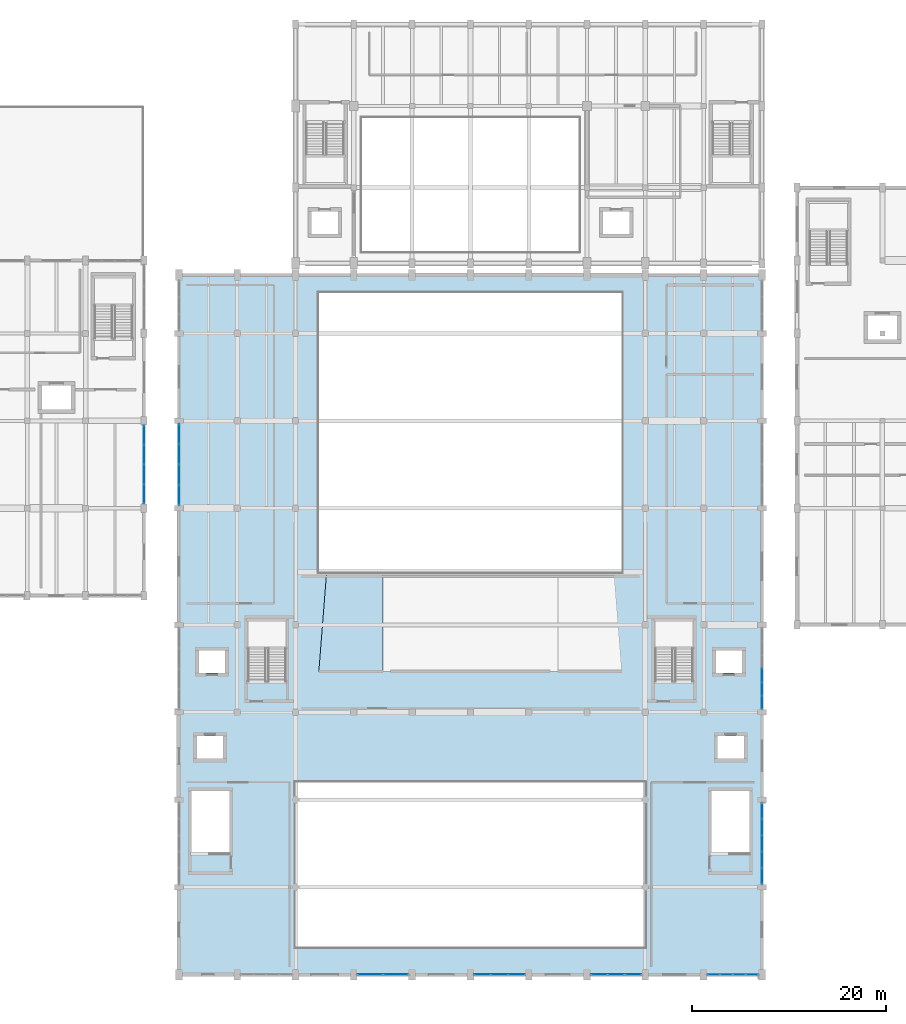
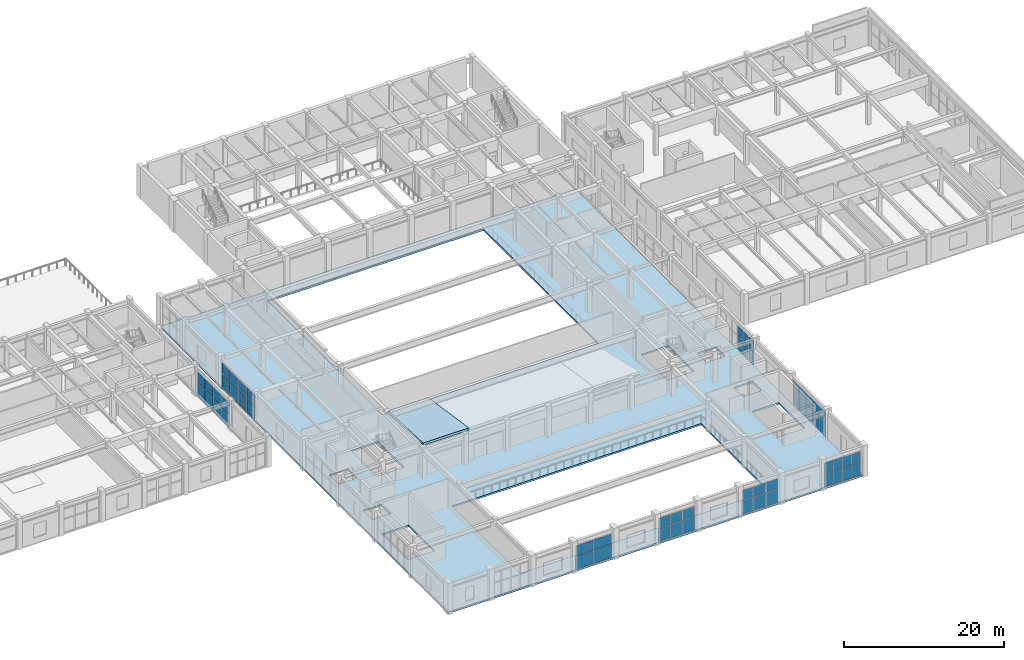
# One storey, part 52 of 80: 56 plates, 2 slabs, 8 elements without a shape of their own.
"""IFC4 building model written with IfcOpenShell, lengths in metres."""

from ifc_helpers import new_model, si_unit, direction, frame, origin, origin_2d, place, context, subcontext, project, spatial, polyline, rectangle, outline, extrude, material, layer, layer_set, type_object, element, aggregate, save


model = new_model("IFC4")

# Units and contexts
model_context = context("Model", 3, precision=1e-05, world=origin(), true_north=direction((0.0, 1.0)))
body_context = subcontext(model_context, "Body", "Model", "MODEL_VIEW")
ifc_project = project(units=[si_unit("LENGTHUNIT", "METRE"), si_unit("AREAUNIT", "SQUARE_METRE"), si_unit("VOLUMEUNIT", "CUBIC_METRE"), si_unit("PLANEANGLEUNIT", "RADIAN"), si_unit("MASSUNIT", "GRAM", prefix="KILO")], contexts=[model_context])

# Site, building, storey
site_placement = place(None, origin())
site = spatial("IfcSite", under=ifc_project, at=site_placement, CompositionType="ELEMENT")
building_placement = place(site_placement, origin())
building = spatial("IfcBuilding", under=site, at=building_placement, Name="Vaelkrest Opera House", CompositionType="ELEMENT")
storey_placement = place(building_placement, frame((0.0, 0.0, 15.0)))
storey = spatial("IfcBuildingStorey", under=building, at=storey_placement, Name="L03", CompositionType="ELEMENT", Elevation=15.0)

# Curtain wall, plates
ifc_material_1 = material(Name="Dark bronze anodized aluminium", Category="aluminium")
ifc_layer_1 = layer(ifc_material_1, 0.179931640625)
ifc_layer_set_1 = layer_set([ifc_layer_1], Name="Dark bronze anodized aluminium")
curtain_wall_type_1 = type_object("IfcCurtainWallType", Name="CW01", PredefinedType="NOTDEFINED", material=ifc_layer_set_1)
curtain_wall_1_placement = place(storey_placement, origin())
curtain_wall_1 = element("IfcCurtainWall", 1, at=curtain_wall_1_placement, inside=storey, type_object=curtain_wall_type_1, Name="Curtain wall CW-L03-053", PredefinedType="NOTDEFINED")
ifc_material_2 = material(Name="Double low-E insulated glazing", Category="glass")
ifc_layer_2 = layer(ifc_material_2, 0.02587890625)
ifc_layer_set_2 = layer_set([ifc_layer_2], Name="Double low-E insulated glazing")
plate_type_1 = type_object("IfcPlateType", Name="CWP01", PredefinedType="CURTAIN_PANEL", material=ifc_layer_set_2)
plate_1_placement = place(storey_placement, frame((30.0, -25.000244140625, 0.06494140625), z_axis=(0.0, 0.0, 1.0), x_axis=(0.0, -1.0, 0.0)))
plate_1 = element("IfcPlate", 2, at=plate_1_placement, type_object=plate_type_1, Name="CW01 panel 4.1", PredefinedType="CURTAIN_PANEL", context=body_context, shape_type="SweptSolid", body=[
    extrude(rectangle(XDim=1.335693359375, YDim=0.02587890625, at=origin_2d()), origin(), (0.0, 0.0, 1.0), 2.052490234375),
])
plate_2_placement = place(storey_placement, frame((30.0, -25.000244140625, 2.182373046875), z_axis=(0.0, 0.0, 1.0), x_axis=(0.0, -1.0, 0.0)))
plate_2 = element("IfcPlate", 3, at=plate_2_placement, type_object=plate_type_1, Name="CW01 panel 4.2", PredefinedType="CURTAIN_PANEL", context=body_context, shape_type="SweptSolid", body=[
    extrude(rectangle(XDim=1.335693359375, YDim=0.02587890625, at=origin_2d()), origin(), (0.0, 0.0, 1.0), 1.58154296875),
])
plate_3_placement = place(storey_placement, frame((30.0, -26.40087890625, 0.06494140625), z_axis=(0.0, 0.0, 1.0), x_axis=(0.0, -1.0, 0.0)))
plate_3 = element("IfcPlate", 4, at=plate_3_placement, type_object=plate_type_1, Name="CW01 panel 5.1", PredefinedType="CURTAIN_PANEL", context=body_context, shape_type="SweptSolid", body=[
    extrude(rectangle(XDim=1.335693359375, YDim=0.02587890625, at=origin_2d()), origin(), (0.0, 0.0, 1.0), 2.052490234375),
])
plate_4_placement = place(storey_placement, frame((30.0, -26.40087890625, 2.182373046875), z_axis=(0.0, 0.0, 1.0), x_axis=(0.0, -1.0, 0.0)))
plate_4 = element("IfcPlate", 5, at=plate_4_placement, type_object=plate_type_1, Name="CW01 panel 5.2", PredefinedType="CURTAIN_PANEL", context=body_context, shape_type="SweptSolid", body=[
    extrude(rectangle(XDim=1.335693359375, YDim=0.02587890625, at=origin_2d()), origin(), (0.0, 0.0, 1.0), 1.58154296875),
])
plate_5_placement = place(storey_placement, frame((30.0, -27.785400390625, 0.06494140625), z_axis=(0.0, 0.0, 1.0), x_axis=(0.0, -1.0, 0.0)))
plate_5 = element("IfcPlate", 6, at=plate_5_placement, type_object=plate_type_1, Name="CW01 panel 6.1", PredefinedType="CURTAIN_PANEL", context=body_context, shape_type="SweptSolid", body=[
    extrude(rectangle(XDim=1.30322265625, YDim=0.02587890625, at=origin_2d()), origin(), (0.0, 0.0, 1.0), 2.052490234375),
])
plate_6_placement = place(storey_placement, frame((30.0, -27.785400390625, 2.182373046875), z_axis=(0.0, 0.0, 1.0), x_axis=(0.0, -1.0, 0.0)))
plate_6 = element("IfcPlate", 7, at=plate_6_placement, type_object=plate_type_1, Name="CW01 panel 6.2", PredefinedType="CURTAIN_PANEL", context=body_context, shape_type="SweptSolid", body=[
    extrude(rectangle(XDim=1.30322265625, YDim=0.02587890625, at=origin_2d()), origin(), (0.0, 0.0, 1.0), 1.58154296875),
])
aggregate(curtain_wall_1, [plate_1, plate_2, plate_3, plate_4, plate_5, plate_6])

ifc_layer_3 = layer(ifc_material_1, 0.18994140625)
ifc_layer_set_3 = layer_set([ifc_layer_3], Name="Dark bronze anodized aluminium")
curtain_wall_type_2 = type_object("IfcCurtainWallType", Name="CW02", PredefinedType="NOTDEFINED", material=ifc_layer_set_3)
curtain_wall_2_placement = place(storey_placement, origin())
curtain_wall_2 = element("IfcCurtainWall", 8, at=curtain_wall_2_placement, inside=storey, type_object=curtain_wall_type_2, Name="Curtain wall CW-L03-042", PredefinedType="NOTDEFINED")
ifc_layer_4 = layer(ifc_material_2, 0.030029296875)
ifc_layer_set_4 = layer_set([ifc_layer_4], Name="Double low-E insulated glazing")
plate_type_2 = type_object("IfcPlateType", Name="CWP02", PredefinedType="CURTAIN_PANEL", material=ifc_layer_set_4)
plate_7_placement = place(storey_placement, frame((28.971435546875, -55.800048828125, 0.070068359375), z_axis=(0.0, 0.0, 1.0), x_axis=(-1.0, 0.0, 0.0)))
plate_7 = element("IfcPlate", 9, at=plate_7_placement, type_object=plate_type_2, Name="CW02 panel 1.1", PredefinedType="CURTAIN_PANEL", context=body_context, shape_type="SweptSolid", body=[
    extrude(rectangle(XDim=1.220947265625, YDim=0.030029296875, at=origin_2d()), origin(), (0.0, 0.0, 1.0), 2.044921875),
])
plate_8_placement = place(storey_placement, frame((28.971435546875, -55.800048828125, 2.18505859375), z_axis=(0.0, 0.0, 1.0), x_axis=(-1.0, 0.0, 0.0)))
plate_8 = element("IfcPlate", 10, at=plate_8_placement, type_object=plate_type_2, Name="CW02 panel 1.2", PredefinedType="CURTAIN_PANEL", context=body_context, shape_type="SweptSolid", body=[
    extrude(rectangle(XDim=1.220947265625, YDim=0.030029296875, at=origin_2d()), origin(), (0.0, 0.0, 1.0), 1.489990234375),
])
plate_9_placement = place(storey_placement, frame((27.6630859375, -55.800048828125, 0.070068359375), z_axis=(0.0, 0.0, 1.0), x_axis=(-1.0, 0.0, 0.0)))
plate_9 = element("IfcPlate", 11, at=plate_9_placement, type_object=plate_type_2, Name="CW02 panel 2.1", PredefinedType="CURTAIN_PANEL", context=body_context, shape_type="SweptSolid", body=[
    extrude(rectangle(XDim=1.256103515625, YDim=0.030029296875, at=origin_2d()), origin(), (0.0, 0.0, 1.0), 2.044921875),
])
plate_10_placement = place(storey_placement, frame((27.6630859375, -55.800048828125, 2.18505859375), z_axis=(0.0, 0.0, 1.0), x_axis=(-1.0, 0.0, 0.0)))
plate_10 = element("IfcPlate", 12, at=plate_10_placement, type_object=plate_type_2, Name="CW02 panel 2.2", PredefinedType="CURTAIN_PANEL", context=body_context, shape_type="SweptSolid", body=[
    extrude(rectangle(XDim=1.256103515625, YDim=0.030029296875, at=origin_2d()), origin(), (0.0, 0.0, 1.0), 1.489990234375),
])
plate_11_placement = place(storey_placement, frame((26.3369140625, -55.800048828125, 0.070068359375), z_axis=(0.0, 0.0, 1.0), x_axis=(-1.0, 0.0, 0.0)))
plate_11 = element("IfcPlate", 13, at=plate_11_placement, type_object=plate_type_2, Name="CW02 panel 3.1", PredefinedType="CURTAIN_PANEL", context=body_context, shape_type="SweptSolid", body=[
    extrude(rectangle(XDim=1.256103515625, YDim=0.030029296875, at=origin_2d()), origin(), (0.0, 0.0, 1.0), 2.044921875),
])
plate_12_placement = place(storey_placement, frame((26.3369140625, -55.800048828125, 2.18505859375), z_axis=(0.0, 0.0, 1.0), x_axis=(-1.0, 0.0, 0.0)))
plate_12 = element("IfcPlate", 14, at=plate_12_placement, type_object=plate_type_2, Name="CW02 panel 3.2", PredefinedType="CURTAIN_PANEL", context=body_context, shape_type="SweptSolid", body=[
    extrude(rectangle(XDim=1.256103515625, YDim=0.030029296875, at=origin_2d()), origin(), (0.0, 0.0, 1.0), 1.489990234375),
])
plate_13_placement = place(storey_placement, frame((25.028564453125, -55.800048828125, 0.070068359375), z_axis=(0.0, 0.0, 1.0), x_axis=(-1.0, 0.0, 0.0)))
plate_13 = element("IfcPlate", 15, at=plate_13_placement, type_object=plate_type_2, Name="CW02 panel 4.1", PredefinedType="CURTAIN_PANEL", context=body_context, shape_type="SweptSolid", body=[
    extrude(rectangle(XDim=1.220947265625, YDim=0.030029296875, at=origin_2d()), origin(), (0.0, 0.0, 1.0), 2.044921875),
])
plate_14_placement = place(storey_placement, frame((25.028564453125, -55.800048828125, 2.18505859375), z_axis=(0.0, 0.0, 1.0), x_axis=(-1.0, 0.0, 0.0)))
plate_14 = element("IfcPlate", 16, at=plate_14_placement, type_object=plate_type_2, Name="CW02 panel 4.2", PredefinedType="CURTAIN_PANEL", context=body_context, shape_type="SweptSolid", body=[
    extrude(rectangle(XDim=1.220947265625, YDim=0.030029296875, at=origin_2d()), origin(), (0.0, 0.0, 1.0), 1.489990234375),
])
aggregate(curtain_wall_2, [plate_7, plate_8, plate_9, plate_10, plate_11, plate_12, plate_13, plate_14])

ifc_layer_5 = layer(ifc_material_1, 0.199951171875)
ifc_layer_set_5 = layer_set([ifc_layer_5], Name="Dark bronze anodized aluminium")
curtain_wall_type_3 = type_object("IfcCurtainWallType", Name="CW03", PredefinedType="NOTDEFINED", material=ifc_layer_set_5)
curtain_wall_3_placement = place(storey_placement, origin())
curtain_wall_3 = element("IfcCurtainWall", 17, at=curtain_wall_3_placement, inside=storey, type_object=curtain_wall_type_3, Name="Curtain wall CW-L03-054", PredefinedType="NOTDEFINED")
ifc_layer_6 = layer(ifc_material_2, 0.033935546875)
ifc_layer_set_6 = layer_set([ifc_layer_6], Name="Double low-E insulated glazing")
plate_type_3 = type_object("IfcPlateType", Name="CWP03", PredefinedType="CURTAIN_PANEL", material=ifc_layer_set_6)
plate_15_placement = place(storey_placement, frame((30.0, -38.95703125, 0.074951171875), z_axis=(0.0, 0.0, 1.0), x_axis=(0.0, -1.0, 0.0)))
plate_15 = element("IfcPlate", 18, at=plate_15_placement, type_object=plate_type_3, Name="CW03 panel 1.1", PredefinedType="CURTAIN_PANEL", context=body_context, shape_type="SweptSolid", body=[
    extrude(rectangle(XDim=1.568359375, YDim=0.033935546875, at=origin_2d()), origin(), (0.0, 0.0, 1.0), 2.03759765625),
])
plate_16_placement = place(storey_placement, frame((30.0, -38.95703125, 2.1875), z_axis=(0.0, 0.0, 1.0), x_axis=(0.0, -1.0, 0.0)))
plate_16 = element("IfcPlate", 19, at=plate_16_placement, type_object=plate_type_3, Name="CW03 panel 1.2", PredefinedType="CURTAIN_PANEL", context=body_context, shape_type="SweptSolid", body=[
    extrude(rectangle(XDim=1.568359375, YDim=0.033935546875, at=origin_2d()), origin(), (0.0, 0.0, 1.0), 1.56640625),
])
plate_17_placement = place(storey_placement, frame((30.0, -40.619140625, 0.074951171875), z_axis=(0.0, 0.0, 1.0), x_axis=(0.0, -1.0, 0.0)))
plate_17 = element("IfcPlate", 20, at=plate_17_placement, type_object=plate_type_3, Name="CW03 panel 2.1", PredefinedType="CURTAIN_PANEL", context=body_context, shape_type="SweptSolid", body=[
    extrude(rectangle(XDim=1.605712890625, YDim=0.033935546875, at=origin_2d()), origin(), (0.0, 0.0, 1.0), 2.03759765625),
])
plate_18_placement = place(storey_placement, frame((30.0, -40.619140625, 2.1875), z_axis=(0.0, 0.0, 1.0), x_axis=(0.0, -1.0, 0.0)))
plate_18 = element("IfcPlate", 21, at=plate_18_placement, type_object=plate_type_3, Name="CW03 panel 2.2", PredefinedType="CURTAIN_PANEL", context=body_context, shape_type="SweptSolid", body=[
    extrude(rectangle(XDim=1.605712890625, YDim=0.033935546875, at=origin_2d()), origin(), (0.0, 0.0, 1.0), 1.56640625),
])
plate_19_placement = place(storey_placement, frame((30.0, -42.300048828125, 0.074951171875), z_axis=(0.0, 0.0, 1.0), x_axis=(0.0, -1.0, 0.0)))
plate_19 = element("IfcPlate", 22, at=plate_19_placement, type_object=plate_type_3, Name="CW03 panel 3.1", PredefinedType="CURTAIN_PANEL", context=body_context, shape_type="SweptSolid", body=[
    extrude(rectangle(XDim=1.605712890625, YDim=0.033935546875, at=origin_2d()), origin(), (0.0, 0.0, 1.0), 2.03759765625),
])
plate_20_placement = place(storey_placement, frame((30.0, -42.300048828125, 2.1875), z_axis=(0.0, 0.0, 1.0), x_axis=(0.0, -1.0, 0.0)))
plate_20 = element("IfcPlate", 23, at=plate_20_placement, type_object=plate_type_3, Name="CW03 panel 3.2", PredefinedType="CURTAIN_PANEL", context=body_context, shape_type="SweptSolid", body=[
    extrude(rectangle(XDim=1.605712890625, YDim=0.033935546875, at=origin_2d()), origin(), (0.0, 0.0, 1.0), 1.56640625),
])
plate_21_placement = place(storey_placement, frame((30.0, -43.980712890625, 0.074951171875), z_axis=(0.0, 0.0, 1.0), x_axis=(0.0, -1.0, 0.0)))
plate_21 = element("IfcPlate", 24, at=plate_21_placement, type_object=plate_type_3, Name="CW03 panel 4.1", PredefinedType="CURTAIN_PANEL", context=body_context, shape_type="SweptSolid", body=[
    extrude(rectangle(XDim=1.605712890625, YDim=0.033935546875, at=origin_2d()), origin(), (0.0, 0.0, 1.0), 2.03759765625),
])
plate_22_placement = place(storey_placement, frame((30.0, -43.980712890625, 2.1875), z_axis=(0.0, 0.0, 1.0), x_axis=(0.0, -1.0, 0.0)))
plate_22 = element("IfcPlate", 25, at=plate_22_placement, type_object=plate_type_3, Name="CW03 panel 4.2", PredefinedType="CURTAIN_PANEL", context=body_context, shape_type="SweptSolid", body=[
    extrude(rectangle(XDim=1.605712890625, YDim=0.033935546875, at=origin_2d()), origin(), (0.0, 0.0, 1.0), 1.56640625),
])
plate_23_placement = place(storey_placement, frame((30.0, -45.642822265625, 0.074951171875), z_axis=(0.0, 0.0, 1.0), x_axis=(0.0, -1.0, 0.0)))
plate_23 = element("IfcPlate", 26, at=plate_23_placement, type_object=plate_type_3, Name="CW03 panel 5.1", PredefinedType="CURTAIN_PANEL", context=body_context, shape_type="SweptSolid", body=[
    extrude(rectangle(XDim=1.568359375, YDim=0.033935546875, at=origin_2d()), origin(), (0.0, 0.0, 1.0), 2.03759765625),
])
plate_24_placement = place(storey_placement, frame((30.0, -45.642822265625, 2.1875), z_axis=(0.0, 0.0, 1.0), x_axis=(0.0, -1.0, 0.0)))
plate_24 = element("IfcPlate", 27, at=plate_24_placement, type_object=plate_type_3, Name="CW03 panel 5.2", PredefinedType="CURTAIN_PANEL", context=body_context, shape_type="SweptSolid", body=[
    extrude(rectangle(XDim=1.568359375, YDim=0.033935546875, at=origin_2d()), origin(), (0.0, 0.0, 1.0), 1.56640625),
])
aggregate(curtain_wall_3, [plate_15, plate_16, plate_17, plate_18, plate_19, plate_20, plate_21, plate_22, plate_23, plate_24])

ifc_layer_7 = layer(ifc_material_1, 0.2099609375)
ifc_layer_set_7 = layer_set([ifc_layer_7], Name="Dark bronze anodized aluminium")
curtain_wall_type_4 = type_object("IfcCurtainWallType", Name="CW04", PredefinedType="NOTDEFINED", material=ifc_layer_set_7)
curtain_wall_4_placement = place(storey_placement, origin())
curtain_wall_4 = element("IfcCurtainWall", 28, at=curtain_wall_4_placement, inside=storey, type_object=curtain_wall_type_4, Name="Curtain wall CW-L03-043", PredefinedType="NOTDEFINED")
ifc_layer_8 = layer(ifc_material_2, 0.0380859375)
ifc_layer_set_8 = layer_set([ifc_layer_8], Name="Double low-E insulated glazing")
plate_type_4 = type_object("IfcPlateType", Name="CWP04", PredefinedType="CURTAIN_PANEL", material=ifc_layer_set_8)
plate_25_placement = place(storey_placement, frame((16.748046875, -55.800048828125, 0.080078125), z_axis=(0.0, 0.0, 1.0), x_axis=(-1.0, 0.0, 0.0)))
plate_25 = element("IfcPlate", 29, at=plate_25_placement, type_object=plate_type_4, Name="CW04 panel 1.1", PredefinedType="CURTAIN_PANEL", context=body_context, shape_type="SweptSolid", body=[
    extrude(rectangle(XDim=1.64794921875, YDim=0.0380859375, at=origin_2d()), origin(), (0.0, 0.0, 1.0), 2.030029296875),
])
plate_26_placement = place(storey_placement, frame((16.748046875, -55.800048828125, 2.18994140625), z_axis=(0.0, 0.0, 1.0), x_axis=(-1.0, 0.0, 0.0)))
plate_26 = element("IfcPlate", 30, at=plate_26_placement, type_object=plate_type_4, Name="CW04 panel 1.2", PredefinedType="CURTAIN_PANEL", context=body_context, shape_type="SweptSolid", body=[
    extrude(rectangle(XDim=1.64794921875, YDim=0.0380859375, at=origin_2d()), origin(), (0.0, 0.0, 1.0), 1.47509765625),
])
plate_27_placement = place(storey_placement, frame((15.0, -55.800048828125, 0.080078125), z_axis=(0.0, 0.0, 1.0), x_axis=(-1.0, 0.0, 0.0)))
plate_27 = element("IfcPlate", 31, at=plate_27_placement, type_object=plate_type_4, Name="CW04 panel 2.1", PredefinedType="CURTAIN_PANEL", context=body_context, shape_type="SweptSolid", body=[
    extrude(rectangle(XDim=1.68798828125, YDim=0.0380859375, at=origin_2d()), origin(), (0.0, 0.0, 1.0), 2.030029296875),
])
plate_28_placement = place(storey_placement, frame((15.0, -55.800048828125, 2.18994140625), z_axis=(0.0, 0.0, 1.0), x_axis=(-1.0, 0.0, 0.0)))
plate_28 = element("IfcPlate", 32, at=plate_28_placement, type_object=plate_type_4, Name="CW04 panel 2.2", PredefinedType="CURTAIN_PANEL", context=body_context, shape_type="SweptSolid", body=[
    extrude(rectangle(XDim=1.68798828125, YDim=0.0380859375, at=origin_2d()), origin(), (0.0, 0.0, 1.0), 1.47509765625),
])
plate_29_placement = place(storey_placement, frame((13.251953125, -55.800048828125, 0.080078125), z_axis=(0.0, 0.0, 1.0), x_axis=(-1.0, 0.0, 0.0)))
plate_29 = element("IfcPlate", 33, at=plate_29_placement, type_object=plate_type_4, Name="CW04 panel 3.1", PredefinedType="CURTAIN_PANEL", context=body_context, shape_type="SweptSolid", body=[
    extrude(rectangle(XDim=1.64794921875, YDim=0.0380859375, at=origin_2d()), origin(), (0.0, 0.0, 1.0), 2.030029296875),
])
plate_30_placement = place(storey_placement, frame((13.251953125, -55.800048828125, 2.18994140625), z_axis=(0.0, 0.0, 1.0), x_axis=(-1.0, 0.0, 0.0)))
plate_30 = element("IfcPlate", 34, at=plate_30_placement, type_object=plate_type_4, Name="CW04 panel 3.2", PredefinedType="CURTAIN_PANEL", context=body_context, shape_type="SweptSolid", body=[
    extrude(rectangle(XDim=1.64794921875, YDim=0.0380859375, at=origin_2d()), origin(), (0.0, 0.0, 1.0), 1.47509765625),
])
aggregate(curtain_wall_4, [plate_25, plate_26, plate_27, plate_28, plate_29, plate_30])

ifc_layer_9 = layer(ifc_material_1, 0.22998046875)
ifc_layer_set_9 = layer_set([ifc_layer_9], Name="Dark bronze anodized aluminium")
curtain_wall_type_5 = type_object("IfcCurtainWallType", Name="CW06", PredefinedType="NOTDEFINED", material=ifc_layer_set_9)
curtain_wall_5_placement = place(storey_placement, origin())
curtain_wall_5 = element("IfcCurtainWall", 35, at=curtain_wall_5_placement, inside=storey, type_object=curtain_wall_type_5, Name="Curtain wall CW-L03-044", PredefinedType="NOTDEFINED")
ifc_material_3 = material(Name="Dark bronze anodized aluminium spandrel", Category="aluminium")
ifc_layer_10 = layer(ifc_material_3, 0.0458984375)
ifc_layer_set_10 = layer_set([ifc_layer_10], Name="Dark bronze anodized aluminium spandrel")
plate_type_5 = type_object("IfcPlateType", Name="CWP06", PredefinedType="CURTAIN_PANEL", material=ifc_layer_set_10)
plate_31_placement = place(storey_placement, frame((4.75048828125, -55.800048828125, 0.080078125), z_axis=(0.0, 0.0, 1.0), x_axis=(-1.0, 0.0, 0.0)))
plate_31 = element("IfcPlate", 36, at=plate_31_placement, type_object=plate_type_5, Name="CW06 panel 1.1", PredefinedType="CURTAIN_PANEL", context=body_context, shape_type="SweptSolid", body=[
    extrude(rectangle(XDim=1.6630859375, YDim=0.0458984375, at=origin_2d()), origin(), (0.0, 0.0, 1.0), 2.030029296875),
])
plate_32_placement = place(storey_placement, frame((4.75048828125, -55.800048828125, 2.18994140625), z_axis=(0.0, 0.0, 1.0), x_axis=(-1.0, 0.0, 0.0)))
plate_32 = element("IfcPlate", 37, at=plate_32_placement, type_object=plate_type_5, Name="CW06 panel 1.2", PredefinedType="CURTAIN_PANEL", context=body_context, shape_type="SweptSolid", body=[
    extrude(rectangle(XDim=1.6630859375, YDim=0.0458984375, at=origin_2d()), origin(), (0.0, 0.0, 1.0), 1.47509765625),
])
plate_33_placement = place(storey_placement, frame((3.0, -55.800048828125, 0.080078125), z_axis=(0.0, 0.0, 1.0), x_axis=(-1.0, 0.0, 0.0)))
plate_33 = element("IfcPlate", 38, at=plate_33_placement, type_object=plate_type_5, Name="CW06 panel 2.1", PredefinedType="CURTAIN_PANEL", context=body_context, shape_type="SweptSolid", body=[
    extrude(rectangle(XDim=1.697998046875, YDim=0.0458984375, at=origin_2d()), origin(), (0.0, 0.0, 1.0), 2.030029296875),
])
plate_34_placement = place(storey_placement, frame((3.0, -55.800048828125, 2.18994140625), z_axis=(0.0, 0.0, 1.0), x_axis=(-1.0, 0.0, 0.0)))
plate_34 = element("IfcPlate", 39, at=plate_34_placement, type_object=plate_type_5, Name="CW06 panel 2.2", PredefinedType="CURTAIN_PANEL", context=body_context, shape_type="SweptSolid", body=[
    extrude(rectangle(XDim=1.697998046875, YDim=0.0458984375, at=origin_2d()), origin(), (0.0, 0.0, 1.0), 1.47509765625),
])
plate_35_placement = place(storey_placement, frame((1.24951171875, -55.800048828125, 0.080078125), z_axis=(0.0, 0.0, 1.0), x_axis=(-1.0, 0.0, 0.0)))
plate_35 = element("IfcPlate", 40, at=plate_35_placement, type_object=plate_type_5, Name="CW06 panel 3.1", PredefinedType="CURTAIN_PANEL", context=body_context, shape_type="SweptSolid", body=[
    extrude(rectangle(XDim=1.6630859375, YDim=0.0458984375, at=origin_2d()), origin(), (0.0, 0.0, 1.0), 2.030029296875),
])
plate_36_placement = place(storey_placement, frame((1.24951171875, -55.800048828125, 2.18994140625), z_axis=(0.0, 0.0, 1.0), x_axis=(-1.0, 0.0, 0.0)))
plate_36 = element("IfcPlate", 41, at=plate_36_placement, type_object=plate_type_5, Name="CW06 panel 3.2", PredefinedType="CURTAIN_PANEL", context=body_context, shape_type="SweptSolid", body=[
    extrude(rectangle(XDim=1.6630859375, YDim=0.0458984375, at=origin_2d()), origin(), (0.0, 0.0, 1.0), 1.47509765625),
])
aggregate(curtain_wall_5, [plate_31, plate_32, plate_33, plate_34, plate_35, plate_36])

ifc_layer_11 = layer(ifc_material_1, 0.239990234375)
ifc_layer_set_11 = layer_set([ifc_layer_11], Name="Dark bronze anodized aluminium")
curtain_wall_type_6 = type_object("IfcCurtainWallType", Name="CW07", PredefinedType="NOTDEFINED", material=ifc_layer_set_11)
curtain_wall_6_placement = place(storey_placement, origin())
curtain_wall_6 = element("IfcCurtainWall", 42, at=curtain_wall_6_placement, inside=storey, type_object=curtain_wall_type_6, Name="Curtain wall CW-L03-136", PredefinedType="NOTDEFINED")
ifc_layer_12 = layer(ifc_material_3, 0.052001953125)
ifc_layer_set_12 = layer_set([ifc_layer_12], Name="Dark bronze anodized aluminium spandrel")
plate_type_6 = type_object("IfcPlateType", Name="CWP07", PredefinedType="CURTAIN_PANEL", material=ifc_layer_set_12)
plate_37_placement = place(storey_placement, frame((-33.60009765625, -0.27978515625, 0.06494140625), z_axis=(0.0, 0.0, 1.0), x_axis=(0.0, -1.0, 0.0)))
plate_37 = element("IfcPlate", 43, at=plate_37_placement, type_object=plate_type_6, Name="CW07 panel 1.1", PredefinedType="CURTAIN_PANEL", context=body_context, shape_type="SweptSolid", body=[
    extrude(rectangle(XDim=1.91357421875, YDim=0.052001953125, at=origin_2d()), origin(), (0.0, 0.0, 1.0), 2.052490234375),
])
plate_38_placement = place(storey_placement, frame((-33.60009765625, -0.27978515625, 2.182373046875), z_axis=(0.0, 0.0, 1.0), x_axis=(0.0, -1.0, 0.0)))
plate_38 = element("IfcPlate", 44, at=plate_38_placement, type_object=plate_type_6, Name="CW07 panel 1.2", PredefinedType="CURTAIN_PANEL", context=body_context, shape_type="SweptSolid", body=[
    extrude(rectangle(XDim=1.91357421875, YDim=0.052001953125, at=origin_2d()), origin(), (0.0, 0.0, 1.0), 1.58154296875),
])
plate_39_placement = place(storey_placement, frame((-33.60009765625, -2.287109375, 0.06494140625), z_axis=(0.0, 0.0, 1.0), x_axis=(0.0, -1.0, 0.0)))
plate_39 = element("IfcPlate", 45, at=plate_39_placement, type_object=plate_type_6, Name="CW07 panel 2.1", PredefinedType="CURTAIN_PANEL", context=body_context, shape_type="SweptSolid", body=[
    extrude(rectangle(XDim=1.950927734375, YDim=0.052001953125, at=origin_2d()), origin(), (0.0, 0.0, 1.0), 2.052490234375),
])
plate_40_placement = place(storey_placement, frame((-33.60009765625, -2.287109375, 2.182373046875), z_axis=(0.0, 0.0, 1.0), x_axis=(0.0, -1.0, 0.0)))
plate_40 = element("IfcPlate", 46, at=plate_40_placement, type_object=plate_type_6, Name="CW07 panel 2.2", PredefinedType="CURTAIN_PANEL", context=body_context, shape_type="SweptSolid", body=[
    extrude(rectangle(XDim=1.950927734375, YDim=0.052001953125, at=origin_2d()), origin(), (0.0, 0.0, 1.0), 1.58154296875),
])
plate_41_placement = place(storey_placement, frame((-33.60009765625, -4.31298828125, 0.06494140625), z_axis=(0.0, 0.0, 1.0), x_axis=(0.0, -1.0, 0.0)))
plate_41 = element("IfcPlate", 47, at=plate_41_placement, type_object=plate_type_6, Name="CW07 panel 3.1", PredefinedType="CURTAIN_PANEL", context=body_context, shape_type="SweptSolid", body=[
    extrude(rectangle(XDim=1.950927734375, YDim=0.052001953125, at=origin_2d()), origin(), (0.0, 0.0, 1.0), 2.052490234375),
])
plate_42_placement = place(storey_placement, frame((-33.60009765625, -4.31298828125, 2.182373046875), z_axis=(0.0, 0.0, 1.0), x_axis=(0.0, -1.0, 0.0)))
plate_42 = element("IfcPlate", 48, at=plate_42_placement, type_object=plate_type_6, Name="CW07 panel 3.2", PredefinedType="CURTAIN_PANEL", context=body_context, shape_type="SweptSolid", body=[
    extrude(rectangle(XDim=1.950927734375, YDim=0.052001953125, at=origin_2d()), origin(), (0.0, 0.0, 1.0), 1.58154296875),
])
plate_43_placement = place(storey_placement, frame((-33.60009765625, -6.3203125, 0.06494140625), z_axis=(0.0, 0.0, 1.0), x_axis=(0.0, -1.0, 0.0)))
plate_43 = element("IfcPlate", 49, at=plate_43_placement, type_object=plate_type_6, Name="CW07 panel 4.1", PredefinedType="CURTAIN_PANEL", context=body_context, shape_type="SweptSolid", body=[
    extrude(rectangle(XDim=1.91357421875, YDim=0.052001953125, at=origin_2d()), origin(), (0.0, 0.0, 1.0), 2.052490234375),
])
plate_44_placement = place(storey_placement, frame((-33.60009765625, -6.3203125, 2.182373046875), z_axis=(0.0, 0.0, 1.0), x_axis=(0.0, -1.0, 0.0)))
plate_44 = element("IfcPlate", 50, at=plate_44_placement, type_object=plate_type_6, Name="CW07 panel 4.2", PredefinedType="CURTAIN_PANEL", context=body_context, shape_type="SweptSolid", body=[
    extrude(rectangle(XDim=1.91357421875, YDim=0.052001953125, at=origin_2d()), origin(), (0.0, 0.0, 1.0), 1.58154296875),
])
aggregate(curtain_wall_6, [plate_37, plate_38, plate_39, plate_40, plate_41, plate_42, plate_43, plate_44])

ifc_layer_13 = layer(ifc_material_1, 0.25)
ifc_layer_set_13 = layer_set([ifc_layer_13], Name="Dark bronze anodized aluminium")
curtain_wall_type_7 = type_object("IfcCurtainWallType", Name="CW08", PredefinedType="NOTDEFINED", material=ifc_layer_set_13)
curtain_wall_7_placement = place(storey_placement, origin())
curtain_wall_7 = element("IfcCurtainWall", 51, at=curtain_wall_7_placement, inside=storey, type_object=curtain_wall_type_7, Name="Curtain wall CW-L03-045", PredefinedType="NOTDEFINED")
ifc_layer_14 = layer(ifc_material_3, 0.05810546875)
ifc_layer_set_14 = layer_set([ifc_layer_14], Name="Dark bronze anodized aluminium spandrel")
plate_type_7 = type_object("IfcPlateType", Name="CWP08", PredefinedType="CURTAIN_PANEL", material=ifc_layer_set_14)
plate_45_placement = place(storey_placement, frame((-7.694091796875, -55.800048828125, 0.070068359375), z_axis=(0.0, 0.0, 1.0), x_axis=(-1.0, 0.0, 0.0)))
plate_45 = element("IfcPlate", 52, at=plate_45_placement, type_object=plate_type_7, Name="CW08 panel 1.1", PredefinedType="CURTAIN_PANEL", context=body_context, shape_type="SweptSolid", body=[
    extrude(rectangle(XDim=2.531982421875, YDim=0.05810546875, at=origin_2d()), origin(), (0.0, 0.0, 1.0), 2.044921875),
])
plate_46_placement = place(storey_placement, frame((-7.694091796875, -55.800048828125, 2.18505859375), z_axis=(0.0, 0.0, 1.0), x_axis=(-1.0, 0.0, 0.0)))
plate_46 = element("IfcPlate", 53, at=plate_46_placement, type_object=plate_type_7, Name="CW08 panel 1.2", PredefinedType="CURTAIN_PANEL", context=body_context, shape_type="SweptSolid", body=[
    extrude(rectangle(XDim=2.531982421875, YDim=0.05810546875, at=origin_2d()), origin(), (0.0, 0.0, 1.0), 1.489990234375),
])
plate_47_placement = place(storey_placement, frame((-10.305908203125, -55.800048828125, 0.070068359375), z_axis=(0.0, 0.0, 1.0), x_axis=(-1.0, 0.0, 0.0)))
plate_47 = element("IfcPlate", 54, at=plate_47_placement, type_object=plate_type_7, Name="CW08 panel 2.1", PredefinedType="CURTAIN_PANEL", context=body_context, shape_type="SweptSolid", body=[
    extrude(rectangle(XDim=2.531982421875, YDim=0.05810546875, at=origin_2d()), origin(), (0.0, 0.0, 1.0), 2.044921875),
])
plate_48_placement = place(storey_placement, frame((-10.305908203125, -55.800048828125, 2.18505859375), z_axis=(0.0, 0.0, 1.0), x_axis=(-1.0, 0.0, 0.0)))
plate_48 = element("IfcPlate", 55, at=plate_48_placement, type_object=plate_type_7, Name="CW08 panel 2.2", PredefinedType="CURTAIN_PANEL", context=body_context, shape_type="SweptSolid", body=[
    extrude(rectangle(XDim=2.531982421875, YDim=0.05810546875, at=origin_2d()), origin(), (0.0, 0.0, 1.0), 1.489990234375),
])
aggregate(curtain_wall_7, [plate_45, plate_46, plate_47, plate_48])

curtain_wall_8_placement = place(storey_placement, origin())
curtain_wall_8 = element("IfcCurtainWall", 56, at=curtain_wall_8_placement, inside=storey, type_object=curtain_wall_type_7, Name="Curtain wall CW-L03-049", PredefinedType="NOTDEFINED")
plate_49_placement = place(storey_placement, frame((-30.0, -6.431396484375, 0.070068359375), z_axis=(0.0, 0.0, 1.0), x_axis=(0.0, 1.0, 0.0)))
plate_49 = element("IfcPlate", 57, at=plate_49_placement, type_object=plate_type_7, Name="CW08 panel 1.1", PredefinedType="CURTAIN_PANEL", context=body_context, shape_type="SweptSolid", body=[
    extrude(rectangle(XDim=1.98095703125, YDim=0.05810546875, at=origin_2d()), origin(), (0.0, 0.0, 1.0), 2.044921875),
])
plate_50_placement = place(storey_placement, frame((-30.0, -6.431396484375, 2.18505859375), z_axis=(0.0, 0.0, 1.0), x_axis=(0.0, 1.0, 0.0)))
plate_50 = element("IfcPlate", 58, at=plate_50_placement, type_object=plate_type_7, Name="CW08 panel 1.2", PredefinedType="CURTAIN_PANEL", context=body_context, shape_type="SweptSolid", body=[
    extrude(rectangle(XDim=1.98095703125, YDim=0.05810546875, at=origin_2d()), origin(), (0.0, 0.0, 1.0), 1.573974609375),
])
plate_51_placement = place(storey_placement, frame((-30.0, -4.3505859375, 0.070068359375), z_axis=(0.0, 0.0, 1.0), x_axis=(0.0, 1.0, 0.0)))
plate_51 = element("IfcPlate", 59, at=plate_51_placement, type_object=plate_type_7, Name="CW08 panel 2.1", PredefinedType="CURTAIN_PANEL", context=body_context, shape_type="SweptSolid", body=[
    extrude(rectangle(XDim=2.02099609375, YDim=0.05810546875, at=origin_2d()), origin(), (0.0, 0.0, 1.0), 2.044921875),
])
plate_52_placement = place(storey_placement, frame((-30.0, -4.3505859375, 2.18505859375), z_axis=(0.0, 0.0, 1.0), x_axis=(0.0, 1.0, 0.0)))
plate_52 = element("IfcPlate", 60, at=plate_52_placement, type_object=plate_type_7, Name="CW08 panel 2.2", PredefinedType="CURTAIN_PANEL", context=body_context, shape_type="SweptSolid", body=[
    extrude(rectangle(XDim=2.02099609375, YDim=0.05810546875, at=origin_2d()), origin(), (0.0, 0.0, 1.0), 1.573974609375),
])
plate_53_placement = place(storey_placement, frame((-30.0, -2.24951171875, 0.070068359375), z_axis=(0.0, 0.0, 1.0), x_axis=(0.0, 1.0, 0.0)))
plate_53 = element("IfcPlate", 61, at=plate_53_placement, type_object=plate_type_7, Name="CW08 panel 3.1", PredefinedType="CURTAIN_PANEL", context=body_context, shape_type="SweptSolid", body=[
    extrude(rectangle(XDim=2.02099609375, YDim=0.05810546875, at=origin_2d()), origin(), (0.0, 0.0, 1.0), 2.044921875),
])
plate_54_placement = place(storey_placement, frame((-30.0, -2.24951171875, 2.18505859375), z_axis=(0.0, 0.0, 1.0), x_axis=(0.0, 1.0, 0.0)))
plate_54 = element("IfcPlate", 62, at=plate_54_placement, type_object=plate_type_7, Name="CW08 panel 3.2", PredefinedType="CURTAIN_PANEL", context=body_context, shape_type="SweptSolid", body=[
    extrude(rectangle(XDim=2.02099609375, YDim=0.05810546875, at=origin_2d()), origin(), (0.0, 0.0, 1.0), 1.573974609375),
])
plate_55_placement = place(storey_placement, frame((-30.0, -0.16845703125, 0.070068359375), z_axis=(0.0, 0.0, 1.0), x_axis=(0.0, 1.0, 0.0)))
plate_55 = element("IfcPlate", 63, at=plate_55_placement, type_object=plate_type_7, Name="CW08 panel 4.1", PredefinedType="CURTAIN_PANEL", context=body_context, shape_type="SweptSolid", body=[
    extrude(rectangle(XDim=1.98095703125, YDim=0.05810546875, at=origin_2d()), origin(), (0.0, 0.0, 1.0), 2.044921875),
])
plate_56_placement = place(storey_placement, frame((-30.0, -0.16845703125, 2.18505859375), z_axis=(0.0, 0.0, 1.0), x_axis=(0.0, 1.0, 0.0)))
plate_56 = element("IfcPlate", 64, at=plate_56_placement, type_object=plate_type_7, Name="CW08 panel 4.2", PredefinedType="CURTAIN_PANEL", context=body_context, shape_type="SweptSolid", body=[
    extrude(rectangle(XDim=1.98095703125, YDim=0.05810546875, at=origin_2d()), origin(), (0.0, 0.0, 1.0), 1.573974609375),
])
aggregate(curtain_wall_8, [plate_49, plate_50, plate_51, plate_52, plate_53, plate_54, plate_55, plate_56])

# Slabs
ifc_material_4 = material(Name="Concrete C40/50", Category="concrete")
ifc_layer_15 = layer(ifc_material_4, 0.264892578125)
ifc_layer_set_15 = layer_set([ifc_layer_15], Name="Concrete C40/50")
slab_type_1 = type_object("IfcSlabType", Name="FS02", PredefinedType="FLOOR", material=ifc_layer_set_15)
slab_1_placement = place(storey_placement, frame((0.0, 0.0, -0.264892578125)))
element("IfcSlab", 65, at=slab_1_placement, inside=storey, type_object=slab_type_1, Name="Floor slab SLB-V1-L03-006", PredefinedType="FLOOR", context=body_context, shape_type="SweptSolid", body=[
    extrude(outline(polyline([(-30.0, -55.800048828125), (30.0, -55.800048828125), (30.0, 16.199951171875), (-30.0, 16.199951171875), (-30.0, -55.800048828125)]), holes=[polyline([(-15.60009765625, -14.39990234375), (15.60009765625, -14.39990234375), (15.60009765625, 14.39990234375), (-15.60009765625, 14.39990234375), (-15.60009765625, -14.39990234375)]), polyline([(-18.0, -53.0), (18.0, -53.0), (18.0, -36.0), (-18.0, -36.0), (-18.0, -53.0)]), polyline([(-19.0, -25.64990234375), (-19.0, -19.199951171875), (-22.89990234375, -19.199951171875), (-22.89990234375, -25.64990234375), (-19.0, -25.64990234375)]), polyline([(22.89990234375, -25.64990234375), (22.89990234375, -19.199951171875), (19.0, -19.199951171875), (19.0, -25.64990234375), (22.89990234375, -25.64990234375)]), polyline([(-24.800048828125, -43.35009765625), (-24.800048828125, -36.89990234375), (-28.699951171875, -36.89990234375), (-28.699951171875, -43.35009765625), (-24.800048828125, -43.35009765625)]), polyline([(28.699951171875, -43.35009765625), (28.699951171875, -36.89990234375), (24.800048828125, -36.89990234375), (24.800048828125, -43.35009765625), (28.699951171875, -43.35009765625)]), polyline([(-27.949951171875, -24.75), (-25.25, -24.75), (-25.25, -22.449951171875), (-27.949951171875, -22.449951171875), (-27.949951171875, -24.75)]), polyline([(25.25, -24.75), (27.949951171875, -24.75), (27.949951171875, -22.449951171875), (25.25, -22.449951171875), (25.25, -24.75)]), polyline([(-28.14990234375, -33.550048828125), (-25.449951171875, -33.550048828125), (-25.449951171875, -31.25), (-28.14990234375, -31.25), (-28.14990234375, -33.550048828125)]), polyline([(25.449951171875, -33.550048828125), (28.14990234375, -33.550048828125), (28.14990234375, -31.25), (25.449951171875, -31.25), (25.449951171875, -33.550048828125)])]), origin(), (0.0, 0.0, 1.0), 0.264892578125),
])
ifc_layer_16 = layer(ifc_material_4, 0.31494140625)
ifc_layer_set_16 = layer_set([ifc_layer_16], Name="Concrete C40/50")
slab_type_2 = type_object("IfcSlabType", Name="STIER04", PredefinedType="USERDEFINED", material=ifc_layer_set_16)
slab_2_placement = place(storey_placement, frame((-14.800048828125, -14.39990234375, 0.340087890625), z_axis=(0.0, 0.147391129859, 0.989078285496), x_axis=(1.0, 0.0, 0.0)))
element("IfcSlab", 66, at=slab_2_placement, inside=storey, type_object=slab_type_2, Name="Auditorium seating tier L03 sector 1", ObjectType="SEATING TIER", PredefinedType="USERDEFINED", context=body_context, shape_type="SweptSolid", body=[
    extrude(outline(polyline([(0.0, 0.0), (5.800048828125, 0.0), (5.800048828125, -10.312829087526294), (-0.800048828125, -10.312829087526294), (0.0, 0.0)])), origin(), (0.0, 0.0, -1.0), 0.31494140625),
])

save(model, "model.ifc")
